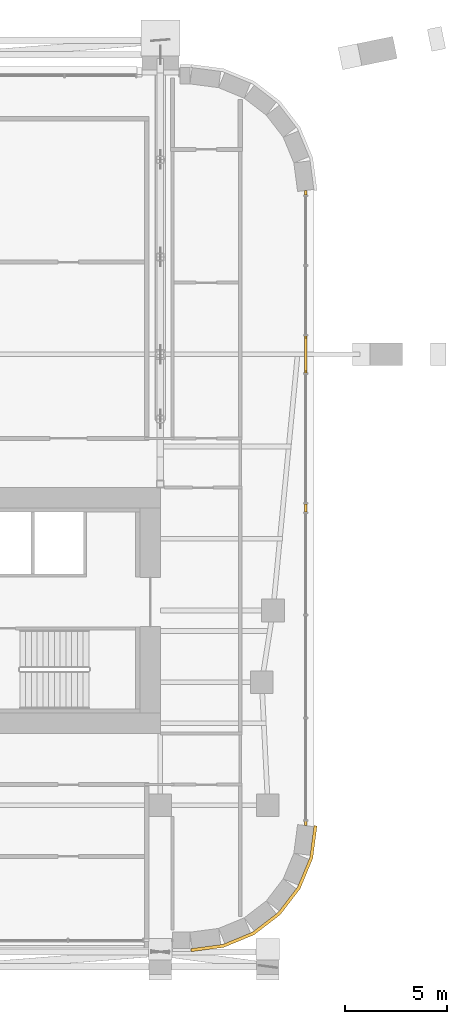
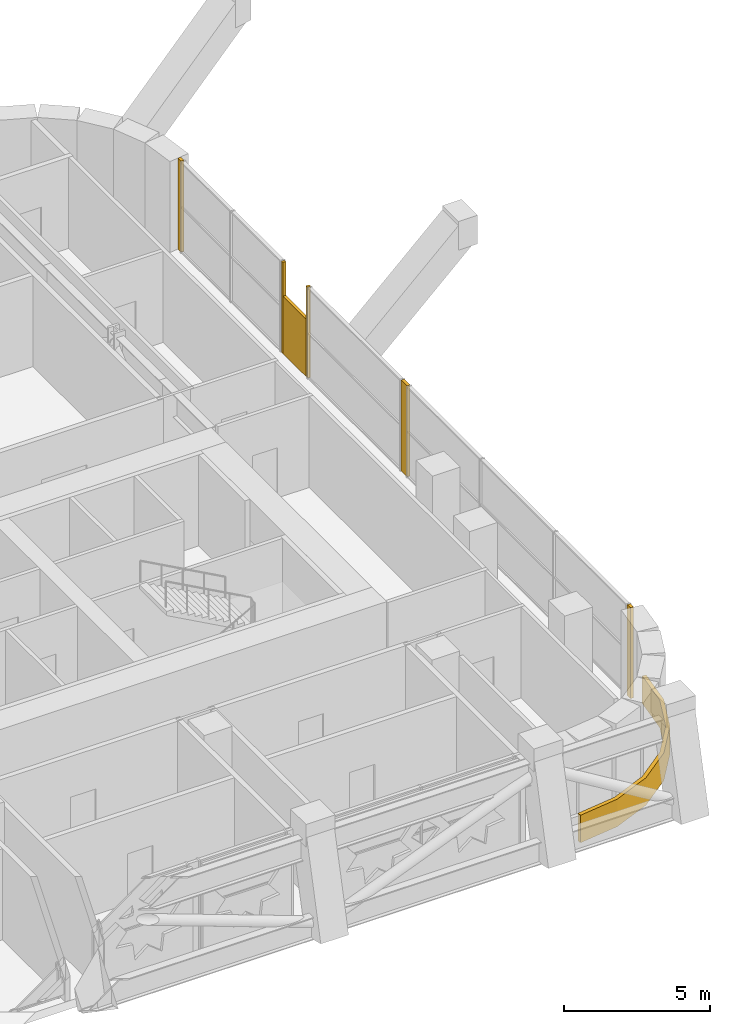
# One storey, part 26 of 27: 7 coverings.
"""IFC4 building model written with IfcOpenShell, lengths in metres."""

from ifc_helpers import new_model, si_unit, direction, frame, origin, origin_2d, place, context, subcontext, project, spatial, polyline, rectangle, outline, extrude, material, layer, layer_set, type_object, element, save


model = new_model("IFC4")

# Units and contexts
model_context = context("Model", 3, precision=1e-05, world=origin(), true_north=direction((0.0, 1.0)))
body_context = subcontext(model_context, "Body", "Model", "MODEL_VIEW")
ifc_project = project(units=[si_unit("LENGTHUNIT", "METRE"), si_unit("AREAUNIT", "SQUARE_METRE"), si_unit("VOLUMEUNIT", "CUBIC_METRE"), si_unit("PLANEANGLEUNIT", "RADIAN"), si_unit("MASSUNIT", "GRAM", prefix="KILO")], contexts=[model_context])

# Site, building, storey
site_placement = place(None, origin())
site = spatial("IfcSite", under=ifc_project, at=site_placement, CompositionType="ELEMENT")
building_placement = place(site_placement, origin())
building = spatial("IfcBuilding", under=site, at=building_placement, Name="Zellij Exchange Tower", CompositionType="ELEMENT")
storey_placement = place(building_placement, frame((0.0, 0.0, 104.5)))
storey = spatial("IfcBuildingStorey", under=building, at=storey_placement, Name="L22", CompositionType="ELEMENT", Elevation=104.5)

# Coverings
ifc_material = material(Name="Limestone cladding", Category="masonry")
ifc_layer_1 = layer(ifc_material, 0.14990234375)
ifc_layer_set_1 = layer_set([ifc_layer_1], Name="Limestone cladding")
covering_type_1 = type_object("IfcCoveringType", Name="ENV-CV1 Stone spandrel band 150", PredefinedType="CLADDING", material=ifc_layer_set_1)
covering_1_placement = place(storey_placement, frame((0.0, 0.0, -0.35009765625)))
element("IfcCovering", 1, at=covering_1_placement, inside=storey, type_object=covering_type_1, Name="Stone spandrel band", PredefinedType="CLADDING", context=body_context, shape_type="SweptSolid", body=[
    extrude(outline(polyline([(28.5, -24.5), (30.052978515625, -24.295654296875), (31.5, -23.6962890625), (32.74267578125, -22.74267578125), (33.6962890625, -21.5), (34.295654296875, -20.052978515625), (34.5, -18.5), (34.64990234375, -18.509765625), (34.441650390625, -20.092041015625), (33.8271484375, -21.57568359375), (32.849609375, -22.849609375), (31.57568359375, -23.8271484375), (30.092041015625, -24.441650390625), (28.509765625, -24.64990234375), (28.5, -24.5)])), origin(), (0.0, 0.0, 1.0), 1.150146484375),
])
ifc_layer_2 = layer(ifc_material, 0.1201171875)
ifc_layer_set_2 = layer_set([ifc_layer_2], Name="Limestone cladding")
covering_type_2 = type_object("IfcCoveringType", Name="ENV-CV18 Glazing closer 120", PredefinedType="CLADDING", material=ifc_layer_set_2)
covering_2_placement = place(storey_placement, frame((34.10009765625, 4.5, 0.0), z_axis=(0.0, 0.0, 1.0), x_axis=(0.0, 1.0, 0.0)))
element("IfcCovering", 2, at=covering_2_placement, inside=storey, type_object=covering_type_2, Name="Glazing closer", PredefinedType="CLADDING", context=body_context, shape_type="SweptSolid", body=[
    extrude(rectangle(XDim=1.60009765625, YDim=0.1201171875, at=origin_2d()), origin(), (0.0, 0.0, 1.0), 2.389892578125),
])
covering_3_placement = place(storey_placement, frame((34.10009765625, -3.0, 0.0), z_axis=(0.0, 0.0, 1.0), x_axis=(0.0, 1.0, 0.0)))
element("IfcCovering", 3, at=covering_3_placement, inside=storey, type_object=covering_type_2, Name="Glazing closer", PredefinedType="CLADDING", context=body_context, shape_type="SweptSolid", body=[
    extrude(rectangle(XDim=0.39990234375, YDim=0.1201171875, at=origin_2d()), origin(), (0.0, 0.0, 1.0), 3.800048828125),
])
for number, where, z_axis, x_axis, name in (
    (4, (34.10009765625, -18.383056640625, 0.0), (0.0, 0.0, 1.0), (0.0, -1.0, 0.0), "Glazing closer"),
    (5, (34.10009765625, 12.383056640625, 0.0), (0.0, 0.0, 1.0), (0.0, 1.0, 0.0), "Glazing closer"),
):
    element("IfcCovering", number, at=place(storey_placement, frame(where, z_axis=z_axis, x_axis=x_axis)), inside=storey, type_object=covering_type_2, Name=name, PredefinedType="CLADDING", context=body_context, shape_type="SweptSolid", body=[
        extrude(rectangle(XDim=0.218505859375, YDim=0.1201171875, at=origin_2d()), origin(), (0.0, 0.0, 1.0), 3.800048828125),
    ])
for number, where, z_axis, x_axis, name in (
    (6, (34.10009765625, 3.64990234375, 0.0), (0.0, 0.0, 1.0), (0.0, 1.0, 0.0), "Glazing closer"),
    (7, (34.10009765625, 5.35009765625, 0.0), (0.0, 0.0, 1.0), (0.0, 1.0, 0.0), "Glazing closer"),
):
    element("IfcCovering", number, at=place(storey_placement, frame(where, z_axis=z_axis, x_axis=x_axis)), inside=storey, type_object=covering_type_2, Name=name, PredefinedType="CLADDING", context=body_context, shape_type="SweptSolid", body=[
        extrude(rectangle(XDim=0.10009765625, YDim=0.1201171875, at=origin_2d()), origin(), (0.0, 0.0, 1.0), 3.800048828125),
    ])

save(model, "model.ifc")
